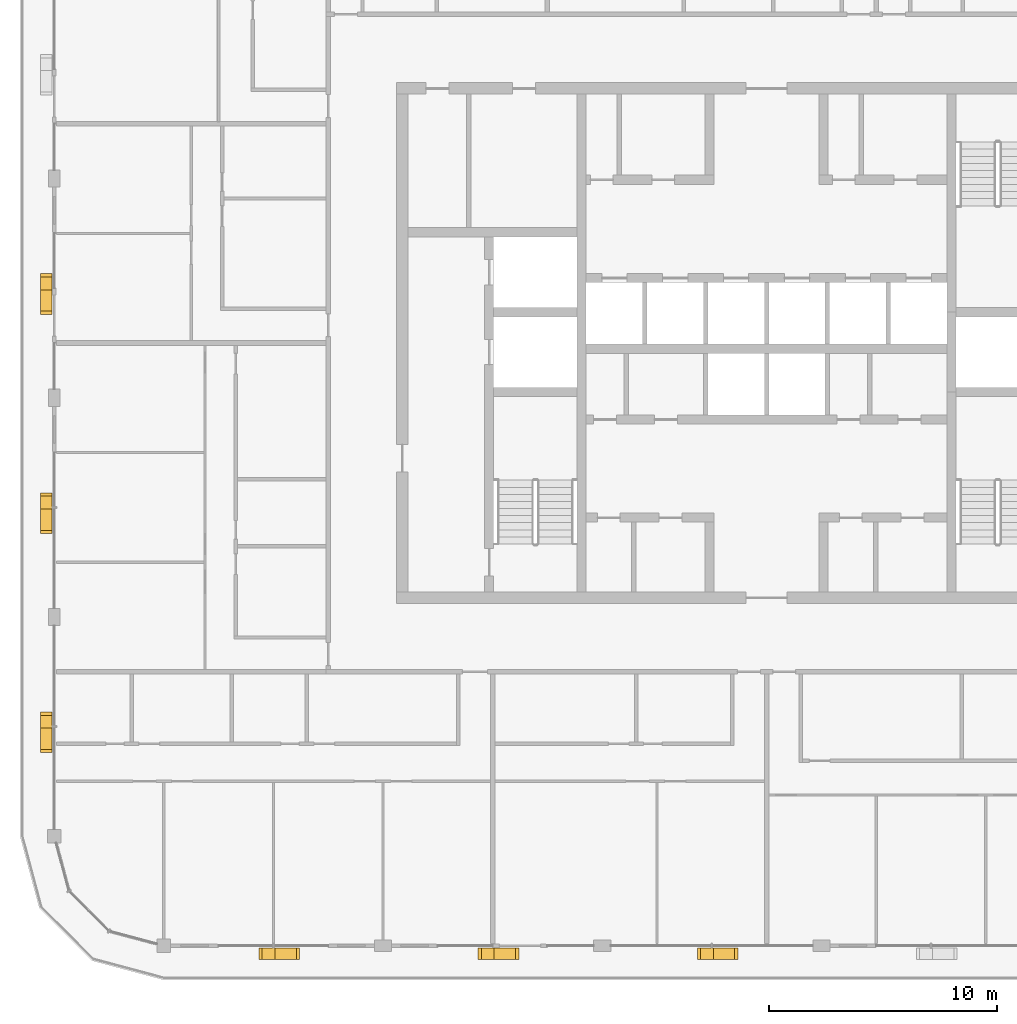
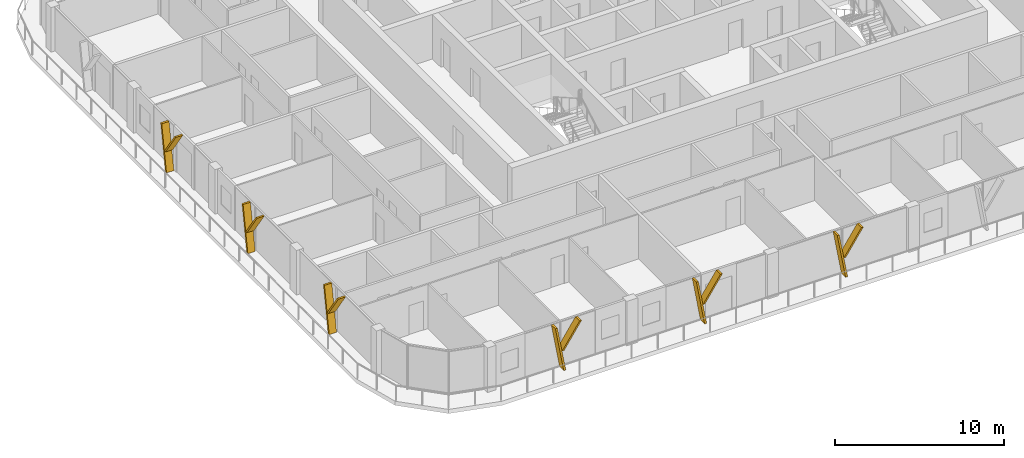
# One storey, part 16 of 21: 12 shading devices.
"""IFC4 building model written with IfcOpenShell, lengths in metres."""

from ifc_helpers import new_model, si_unit, direction, frame, origin, place, context, subcontext, project, spatial, polyline, outline, extrude, material, type_object, element, save


model = new_model("IFC4")

# Units and contexts
model_context = context("Model", 3, precision=1e-05, world=origin(), true_north=direction((0.0, 1.0)))
body_context = subcontext(model_context, "Body", "Model", "MODEL_VIEW")
ifc_project = project(units=[si_unit("LENGTHUNIT", "METRE"), si_unit("AREAUNIT", "SQUARE_METRE"), si_unit("VOLUMEUNIT", "CUBIC_METRE"), si_unit("PLANEANGLEUNIT", "RADIAN"), si_unit("MASSUNIT", "GRAM", prefix="KILO")], contexts=[model_context])

# Site, building, storey
site_placement = place(None, origin())
site = spatial("IfcSite", under=ifc_project, at=site_placement, CompositionType="ELEMENT")
building_placement = place(site_placement, origin())
building = spatial("IfcBuilding", under=site, at=building_placement, Name="Madar Terraces", CompositionType="ELEMENT")
storey_placement = place(building_placement, frame((0.0, 0.0, 268.60009765625)))
storey = spatial("IfcBuildingStorey", under=building, at=storey_placement, Name="L70", CompositionType="ELEMENT", Elevation=268.60009765625)

# Shading devices
ifc_material = material(Name="Aluminium, black anodised", Category="aluminium")
shading_device_type = type_object("IfcShadingDeviceType", Name="Facade fin blade 140 x 500", PredefinedType="USERDEFINED", material=ifc_material)
shading_device_1_placement = place(storey_placement, frame((9.530029296875, -0.35009765625, 0.0), z_axis=(0.0, 0.0, 1.0), x_axis=(1.0, 0.0, 0.0)))
element("IfcShadingDevice", 1, at=shading_device_1_placement, inside=storey, type_object=shading_device_type, Name="FIN L70 S1", ObjectType="FIN", PredefinedType="USERDEFINED", context=body_context, shape_type="SweptSolid", body=[
    extrude(outline(polyline([(0.0, 0.0), (0.139892578125, 0.0), (-0.42431640625, 3.199951171875), (-0.564208984375, 3.199951171875), (0.0, 0.0)])), frame((0.0, 0.25, 0.0), z_axis=(0.0, -1.0, 0.0), x_axis=(1.0, 0.0, 0.0)), (0.0, 0.0, 1.0), 0.5),
])
shading_device_2_placement = place(storey_placement, frame((9.416015625, -0.35009765625, 1.43994140625), z_axis=(0.0, 0.0, 1.0), x_axis=(1.0, 0.0, 0.0)))
element("IfcShadingDevice", 2, at=shading_device_2_placement, inside=storey, type_object=shading_device_type, Name="FIN L70 S1 branch", ObjectType="FIN", PredefinedType="USERDEFINED", context=body_context, shape_type="SweptSolid", body=[
    extrude(outline(polyline([(0.0, 0.0), (0.14013671875, 0.0), (1.32958984375, 1.760009765625), (1.189697265625, 1.760009765625), (0.0, 0.0)])), frame((0.0, 0.25, 0.0), z_axis=(0.0, -1.0, 0.0), x_axis=(1.0, 0.0, 0.0)), (0.0, 0.0, 1.0), 0.5),
])
shading_device_3_placement = place(storey_placement, frame((19.1298828125, -0.35009765625, 0.0), z_axis=(0.0, 0.0, 1.0), x_axis=(1.0, 0.0, 0.0)))
element("IfcShadingDevice", 3, at=shading_device_3_placement, inside=storey, type_object=shading_device_type, Name="FIN L70 S2", ObjectType="FIN", PredefinedType="USERDEFINED", context=body_context, shape_type="SweptSolid", body=[
    extrude(outline(polyline([(0.0, 0.0), (0.14013671875, 0.0), (-0.42431640625, 3.199951171875), (-0.564208984375, 3.199951171875), (0.0, 0.0)])), frame((0.0, 0.25, 0.0), z_axis=(0.0, -1.0, 0.0), x_axis=(1.0, 0.0, 0.0)), (0.0, 0.0, 1.0), 0.5),
])
shading_device_4_placement = place(storey_placement, frame((19.01611328125, -0.35009765625, 1.43994140625), z_axis=(0.0, 0.0, 1.0), x_axis=(1.0, 0.0, 0.0)))
element("IfcShadingDevice", 4, at=shading_device_4_placement, inside=storey, type_object=shading_device_type, Name="FIN L70 S2 branch", ObjectType="FIN", PredefinedType="USERDEFINED", context=body_context, shape_type="SweptSolid", body=[
    extrude(outline(polyline([(0.0, 0.0), (0.139892578125, 0.0), (1.32958984375, 1.760009765625), (1.189697265625, 1.760009765625), (0.0, 0.0)])), frame((0.0, 0.25, 0.0), z_axis=(0.0, -1.0, 0.0), x_axis=(1.0, 0.0, 0.0)), (0.0, 0.0, 1.0), 0.5),
])
shading_device_5_placement = place(storey_placement, frame((28.72998046875, -0.35009765625, 0.0), z_axis=(0.0, 0.0, 1.0), x_axis=(1.0, 0.0, 0.0)))
element("IfcShadingDevice", 5, at=shading_device_5_placement, inside=storey, type_object=shading_device_type, Name="FIN L70 S3", ObjectType="FIN", PredefinedType="USERDEFINED", context=body_context, shape_type="SweptSolid", body=[
    extrude(outline(polyline([(0.0, 0.0), (0.14013671875, 0.0), (-0.42431640625, 3.199951171875), (-0.564208984375, 3.199951171875), (0.0, 0.0)])), frame((0.0, 0.25, 0.0), z_axis=(0.0, -1.0, 0.0), x_axis=(1.0, 0.0, 0.0)), (0.0, 0.0, 1.0), 0.5),
])
shading_device_6_placement = place(storey_placement, frame((28.6162109375, -0.35009765625, 1.43994140625), z_axis=(0.0, 0.0, 1.0), x_axis=(1.0, 0.0, 0.0)))
element("IfcShadingDevice", 6, at=shading_device_6_placement, inside=storey, type_object=shading_device_type, Name="FIN L70 S3 branch", ObjectType="FIN", PredefinedType="USERDEFINED", context=body_context, shape_type="SweptSolid", body=[
    extrude(outline(polyline([(0.0, 0.0), (0.139892578125, 0.0), (1.32958984375, 1.760009765625), (1.189697265625, 1.760009765625), (0.0, 0.0)])), frame((0.0, 0.25, 0.0), z_axis=(0.0, -1.0, 0.0), x_axis=(1.0, 0.0, 0.0)), (0.0, 0.0, 1.0), 0.5),
])
shading_device_7_placement = place(storey_placement, frame((-0.35009765625, 28.8701171875, 0.0), z_axis=(0.0, 0.0, 1.0), x_axis=(0.0, -1.0, 0.0)))
element("IfcShadingDevice", 7, at=shading_device_7_placement, inside=storey, type_object=shading_device_type, Name="FIN L70 W2", ObjectType="FIN", PredefinedType="USERDEFINED", context=body_context, shape_type="SweptSolid", body=[
    extrude(outline(polyline([(0.0, 0.0), (0.14013671875, 0.0), (-0.42431640625, 3.199951171875), (-0.564208984375, 3.199951171875), (0.0, 0.0)])), frame((0.0, 0.25, 0.0), z_axis=(0.0, -1.0, 0.0), x_axis=(1.0, 0.0, 0.0)), (0.0, 0.0, 1.0), 0.5),
])
shading_device_8_placement = place(storey_placement, frame((-0.35009765625, 28.98388671875, 1.43994140625), z_axis=(0.0, 0.0, 1.0), x_axis=(0.0, -1.0, 0.0)))
element("IfcShadingDevice", 8, at=shading_device_8_placement, inside=storey, type_object=shading_device_type, Name="FIN L70 W2 branch", ObjectType="FIN", PredefinedType="USERDEFINED", context=body_context, shape_type="SweptSolid", body=[
    extrude(outline(polyline([(0.0, 0.0), (0.139892578125, 0.0), (1.32958984375, 1.760009765625), (1.189697265625, 1.760009765625), (0.0, 0.0)])), frame((0.0, 0.25, 0.0), z_axis=(0.0, -1.0, 0.0), x_axis=(1.0, 0.0, 0.0)), (0.0, 0.0, 1.0), 0.5),
])
shading_device_9_placement = place(storey_placement, frame((-0.35009765625, 19.27001953125, 0.0), z_axis=(0.0, 0.0, 1.0), x_axis=(0.0, -1.0, 0.0)))
element("IfcShadingDevice", 9, at=shading_device_9_placement, inside=storey, type_object=shading_device_type, Name="FIN L70 W3", ObjectType="FIN", PredefinedType="USERDEFINED", context=body_context, shape_type="SweptSolid", body=[
    extrude(outline(polyline([(0.0, 0.0), (0.14013671875, 0.0), (-0.42431640625, 3.199951171875), (-0.564208984375, 3.199951171875), (0.0, 0.0)])), frame((0.0, 0.25, 0.0), z_axis=(0.0, -1.0, 0.0), x_axis=(1.0, 0.0, 0.0)), (0.0, 0.0, 1.0), 0.5),
])
shading_device_10_placement = place(storey_placement, frame((-0.35009765625, 19.3837890625, 1.43994140625), z_axis=(0.0, 0.0, 1.0), x_axis=(0.0, -1.0, 0.0)))
element("IfcShadingDevice", 10, at=shading_device_10_placement, inside=storey, type_object=shading_device_type, Name="FIN L70 W3 branch", ObjectType="FIN", PredefinedType="USERDEFINED", context=body_context, shape_type="SweptSolid", body=[
    extrude(outline(polyline([(0.0, 0.0), (0.139892578125, 0.0), (1.32958984375, 1.760009765625), (1.189697265625, 1.760009765625), (0.0, 0.0)])), frame((0.0, 0.25, 0.0), z_axis=(0.0, -1.0, 0.0), x_axis=(1.0, 0.0, 0.0)), (0.0, 0.0, 1.0), 0.5),
])
shading_device_11_placement = place(storey_placement, frame((-0.35009765625, 9.669921875, 0.0), z_axis=(0.0, 0.0, 1.0), x_axis=(0.0, -1.0, 0.0)))
element("IfcShadingDevice", 11, at=shading_device_11_placement, inside=storey, type_object=shading_device_type, Name="FIN L70 W4", ObjectType="FIN", PredefinedType="USERDEFINED", context=body_context, shape_type="SweptSolid", body=[
    extrude(outline(polyline([(0.0, 0.0), (0.139892578125, 0.0), (-0.42431640625, 3.199951171875), (-0.564208984375, 3.199951171875), (0.0, 0.0)])), frame((0.0, 0.25, 0.0), z_axis=(0.0, -1.0, 0.0), x_axis=(1.0, 0.0, 0.0)), (0.0, 0.0, 1.0), 0.5),
])
shading_device_12_placement = place(storey_placement, frame((-0.35009765625, 9.783935546875, 1.43994140625), z_axis=(0.0, 0.0, 1.0), x_axis=(0.0, -1.0, 0.0)))
element("IfcShadingDevice", 12, at=shading_device_12_placement, inside=storey, type_object=shading_device_type, Name="FIN L70 W4 branch", ObjectType="FIN", PredefinedType="USERDEFINED", context=body_context, shape_type="SweptSolid", body=[
    extrude(outline(polyline([(0.0, 0.0), (0.14013671875, 0.0), (1.32958984375, 1.760009765625), (1.189697265625, 1.760009765625), (0.0, 0.0)])), frame((0.0, 0.25, 0.0), z_axis=(0.0, -1.0, 0.0), x_axis=(1.0, 0.0, 0.0)), (0.0, 0.0, 1.0), 0.5),
])

save(model, "model.ifc")
